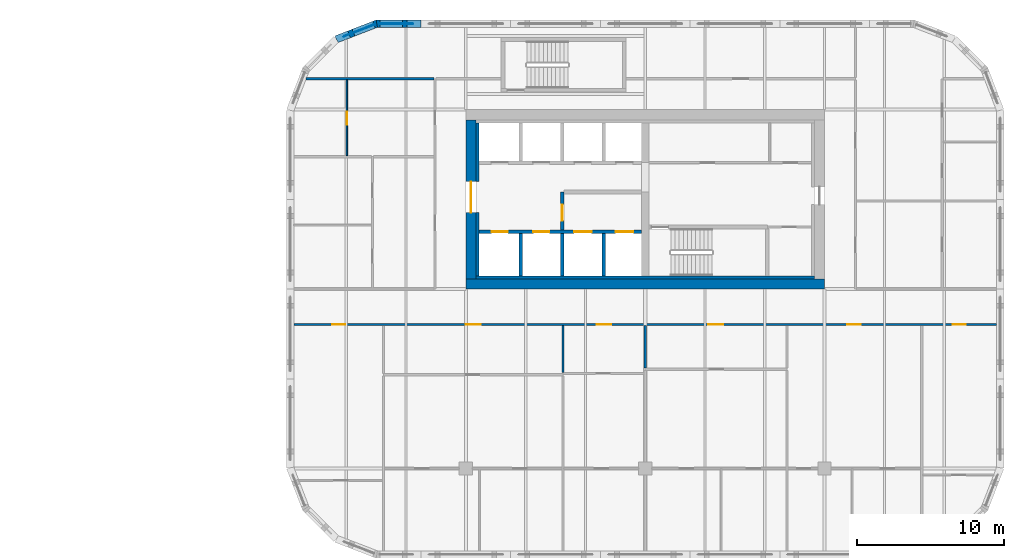
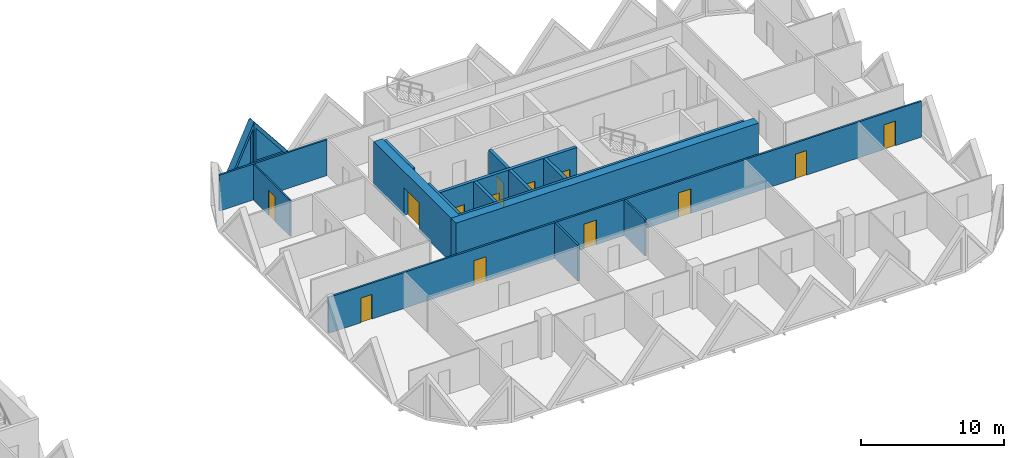
# One storey, part 13 of 19: 17 walls, 13 doors, 2 plates, 15 openings.
"""IFC4 building model written with IfcOpenShell, lengths in metres."""

from ifc_helpers import new_model, si_unit, direction, frame, frame_2d, origin, place, context, subcontext, project, spatial, polyline, rectangle, outline, extrude, faceted_brep, source, transform, mapped, material, layer, layer_set, type_object, element, fill, save


model = new_model("IFC4")

# Units and contexts
model_context = context("Model", 3, precision=1e-05, world=origin(), true_north=direction((0.0, 1.0)))
body_context = subcontext(model_context, "Body", "Model", "MODEL_VIEW")
ifc_project = project(units=[si_unit("LENGTHUNIT", "METRE"), si_unit("AREAUNIT", "SQUARE_METRE"), si_unit("VOLUMEUNIT", "CUBIC_METRE"), si_unit("PLANEANGLEUNIT", "RADIAN"), si_unit("MASSUNIT", "GRAM", prefix="KILO")], contexts=[model_context])

# Site, building, storey
site_placement = place(None, origin())
site = spatial("IfcSite", under=ifc_project, at=site_placement, CompositionType="ELEMENT")
building_placement = place(site_placement, origin())
building = spatial("IfcBuilding", under=site, at=building_placement, Name="Tessera Gate Towers", CompositionType="ELEMENT")
storey_placement = place(building_placement, frame((0.0, 0.0, 25.800048828125)))
storey = spatial("IfcBuildingStorey", under=building, at=storey_placement, Name="L05", CompositionType="ELEMENT", Elevation=25.800048828125)

# Wall, openings, doors
ifc_material_1 = material(Name="Concrete C40/50", Category="concrete")
ifc_layer_1 = layer(ifc_material_1, 0.25)
ifc_layer_set_1 = layer_set([ifc_layer_1], Name="CORE ENCLOSURE WALL 250")
wall_type_1 = type_object("IfcWallType", Name="CORE ENCLOSURE WALL 250", PredefinedType="SOLIDWALL", material=ifc_layer_set_1)
wall_1_placement = place(storey_placement, frame((98.5, 40.5, 0.0), z_axis=(0.0, 0.0, 1.0), x_axis=(1.0, 0.0, 0.0)))
wall_1 = element("IfcWall", 1, at=wall_1_placement, inside=storey, type_object=wall_type_1, Name="L05 shaft and stair enclosure wall", PredefinedType="SOLIDWALL", context=body_context, shape_type="SweptSolid", body=[
    extrude(rectangle(XDim=11.050048828125, YDim=0.25, at=frame_2d((5.52490234375, 0.0))), origin(), (0.0, 0.0, 1.0), 3.800048828125),
])
shared_shape_1 = source(origin(), body_context, "Body", "SweptSolid", [
    extrude(rectangle(XDim=1.10009765625, YDim=2.10009765625, at=frame_2d((0.550048828125, 1.050048828125))), frame((0.0, 0.135009765625, 0.0), z_axis=(0.0, -1.0, 0.0), x_axis=(1.0, 0.0, 0.0)), (0.0, 0.0, 1.0), 0.27001953125),
])
opening_1_placement = place(wall_1_placement, frame((0.862548828125, 0.0, 0.0)))
opening_1 = element("IfcOpeningElement", 2, at=opening_1_placement, cuts=wall_1, Name="Opening LD-TL1", PredefinedType="OPENING", context=body_context, shape_type="MappedRepresentation", body=[
    mapped(shared_shape_1, transform((0.0, 0.0, 0.0), scale=1.0)),
])
opening_2_placement = place(wall_1_placement, frame((3.6875, 0.0, 0.0)))
opening_2 = element("IfcOpeningElement", 3, at=opening_2_placement, cuts=wall_1, Name="Opening LD-TL2", PredefinedType="OPENING", context=body_context, shape_type="MappedRepresentation", body=[
    mapped(shared_shape_1, transform((0.0, 0.0, 0.0), scale=1.0)),
])
shared_shape_2 = source(origin(), body_context, "Body", "SweptSolid", [
    extrude(rectangle(XDim=1.199951171875, YDim=2.10009765625, at=frame_2d((0.60009765625, 1.050048828125))), frame((0.0, 0.135009765625, 0.0), z_axis=(0.0, -1.0, 0.0), x_axis=(1.0, 0.0, 0.0)), (0.0, 0.0, 1.0), 0.27001953125),
])
opening_3_placement = place(wall_1_placement, frame((6.46240234375, 0.0, 0.0)))
opening_3 = element("IfcOpeningElement", 4, at=opening_3_placement, cuts=wall_1, Name="Opening LD-FF3", PredefinedType="OPENING", context=body_context, shape_type="MappedRepresentation", body=[
    mapped(shared_shape_2, transform((0.0, 0.0, 0.0), scale=1.0)),
])
opening_4_placement = place(wall_1_placement, frame((9.28759765625, 0.0, 0.0)))
opening_4 = element("IfcOpeningElement", 5, at=opening_4_placement, cuts=wall_1, Name="Opening LD-FF4", PredefinedType="OPENING", context=body_context, shape_type="MappedRepresentation", body=[
    mapped(shared_shape_2, transform((0.0, 0.0, 0.0), scale=1.0)),
])
ifc_material_2 = material(Name="Stainless steel", Category="steel")
door_type_1 = type_object("IfcDoorType", Name="CORE DOOR LD1200 1200x2100", OperationType="DOUBLE_DOOR_SLIDING", PredefinedType="DOOR", material=ifc_material_2)
shared_shape_3 = source(origin(), body_context, "Body", "SweptSolid", [
    extrude(rectangle(XDim=1.199951171875, YDim=2.10009765625, at=frame_2d((0.60009765625, 1.050048828125))), frame((0.0, 0.02490234375, 0.0), z_axis=(0.0, -1.0, 0.0), x_axis=(1.0, 0.0, 0.0)), (0.0, 0.0, 1.0), 0.050048828125),
])
door_1_placement = place(opening_3_placement, origin())
door_1 = element("IfcDoor", 6, at=door_1_placement, inside=storey, type_object=door_type_1, Name="Landing door FF3 L05", OperationType="DOUBLE_DOOR_SLIDING", OverallHeight=2.10009765625, OverallWidth=1.199951171875, PredefinedType="DOOR", context=body_context, shape_type="MappedRepresentation", body=[
    mapped(shared_shape_3, transform((0.0, 0.0, 0.0), scale=1.0)),
])
fill(opening_3, door_1)
door_2_placement = place(opening_4_placement, origin())
door_2 = element("IfcDoor", 7, at=door_2_placement, inside=storey, type_object=door_type_1, Name="Landing door FF4 L05", OperationType="DOUBLE_DOOR_SLIDING", OverallHeight=2.10009765625, OverallWidth=1.199951171875, PredefinedType="DOOR", context=body_context, shape_type="MappedRepresentation", body=[
    mapped(shared_shape_3, transform((0.0, 0.0, 0.0), scale=1.0)),
])
fill(opening_4, door_2)
ifc_material_3 = material(Name="Stainless steel", Category="steel")
door_type_2 = type_object("IfcDoorType", Name="CORE DOOR LD 1100x2100", OperationType="DOUBLE_DOOR_SLIDING", PredefinedType="DOOR", material=ifc_material_3)
shared_shape_4 = source(origin(), body_context, "Body", "SweptSolid", [
    extrude(rectangle(XDim=1.10009765625, YDim=2.10009765625, at=frame_2d((0.550048828125, 1.050048828125))), frame((0.0, 0.02490234375, 0.0), z_axis=(0.0, -1.0, 0.0), x_axis=(1.0, 0.0, 0.0)), (0.0, 0.0, 1.0), 0.050048828125),
])
door_3_placement = place(opening_1_placement, origin())
door_3 = element("IfcDoor", 8, at=door_3_placement, inside=storey, type_object=door_type_2, Name="Landing door TL1 L05", OperationType="DOUBLE_DOOR_SLIDING", OverallHeight=2.10009765625, OverallWidth=1.10009765625, PredefinedType="DOOR", context=body_context, shape_type="MappedRepresentation", body=[
    mapped(shared_shape_4, transform((0.0, 0.0, 0.0), scale=1.0)),
])
fill(opening_1, door_3)
door_4_placement = place(opening_2_placement, origin())
door_4 = element("IfcDoor", 9, at=door_4_placement, inside=storey, type_object=door_type_2, Name="Landing door TL2 L05", OperationType="DOUBLE_DOOR_SLIDING", OverallHeight=2.10009765625, OverallWidth=1.10009765625, PredefinedType="DOOR", context=body_context, shape_type="MappedRepresentation", body=[
    mapped(shared_shape_4, transform((0.0, 0.0, 0.0), scale=1.0)),
])
fill(opening_2, door_4)

# Wall
wall_2_placement = place(storey_placement, frame((104.14990234375, 37.5, 0.0), z_axis=(0.0, 0.0, 1.0), x_axis=(0.0, 1.0, 0.0)))
element("IfcWall", 10, at=wall_2_placement, inside=storey, type_object=wall_type_1, Name="L05 shaft and stair enclosure wall", PredefinedType="SOLIDWALL", context=body_context, shape_type="SweptSolid", body=[
    extrude(rectangle(XDim=2.875, YDim=0.25, at=frame_2d((1.4375, 0.0))), origin(), (0.0, 0.0, 1.0), 3.800048828125),
])

# Wall, opening, door
wall_3_placement = place(storey_placement, frame((104.14990234375, 43.199951171875, 0.0), z_axis=(0.0, 0.0, 1.0), x_axis=(0.0, -1.0, 0.0)))
wall_3 = element("IfcWall", 11, at=wall_3_placement, inside=storey, type_object=wall_type_1, Name="L05 shaft and stair enclosure wall", PredefinedType="SOLIDWALL", context=body_context, shape_type="SweptSolid", body=[
    extrude(rectangle(XDim=2.574951171875, YDim=0.25, at=frame_2d((1.28759765625, 0.0))), origin(), (0.0, 0.0, 1.0), 3.800048828125),
])
opening_5_placement = place(wall_3_placement, frame((0.85009765625, 0.0, 0.0)))
opening_5 = element("IfcOpeningElement", 12, at=opening_5_placement, cuts=wall_3, Name="Opening FD-T2-06-03", PredefinedType="OPENING", context=body_context, shape_type="MappedRepresentation", body=[
    mapped(shared_shape_1, transform((0.0, 0.0, 0.0), scale=1.0)),
])
ifc_material_4 = material(Name="Hollow steel fire door", Category="steel")
door_type_3 = type_object("IfcDoorType", Name="CORE DOOR FD 1100x2100", OperationType="NOTDEFINED", PredefinedType="DOOR", material=ifc_material_4)
door_5_placement = place(opening_5_placement, origin())
door_5 = element("IfcDoor", 13, at=door_5_placement, inside=storey, type_object=door_type_3, Name="Fire-fighting lobby door", OperationType="SINGLE_SWING_RIGHT", OverallHeight=2.10009765625, OverallWidth=1.10009765625, PredefinedType="DOOR", context=body_context, shape_type="MappedRepresentation", body=[
    mapped(shared_shape_4, transform((0.0, 0.0, 0.0), scale=1.0)),
])
fill(opening_5, door_5)

# Walls
for number, where, z_axis, x_axis, name in (
    (14, (101.324951171875, 37.5, 0.0), (0.0, 0.0, 1.0), (0.0, 1.0, 0.0), "L05 shaft and stair enclosure wall"),
    (15, (106.97509765625, 37.5, 0.0), (0.0, 0.0, 1.0), (0.0, 1.0, 0.0), "L05 shaft and stair enclosure wall"),
):
    element("IfcWall", number, at=place(storey_placement, frame(where, z_axis=z_axis, x_axis=x_axis)), inside=storey, type_object=wall_type_1, Name=name, PredefinedType="SOLIDWALL", context=body_context, shape_type="SweptSolid", body=[
        extrude(rectangle(XDim=2.875, YDim=0.25, at=frame_2d((1.4375, 0.0))), origin(), (0.0, 0.0, 1.0), 3.800048828125),
    ])
ifc_material_5 = material(Name="Concrete C60/75", Category="concrete")
ifc_layer_2 = layer(ifc_material_5, 0.699951171875)
ifc_layer_set_2 = layer_set([ifc_layer_2], Name="CORE SHEAR WALL 700 C60/75")
wall_type_2 = type_object("IfcWallType", Name="CORE SHEAR WALL 700 C60/75", PredefinedType="SHEAR", material=ifc_layer_set_2)
wall_4_placement = place(storey_placement, frame((122.0, 36.949951171875, 0.0), z_axis=(0.0, 0.0, 1.0), x_axis=(-1.0, 0.0, 0.0)))
element("IfcWall", 16, at=wall_4_placement, inside=storey, type_object=wall_type_2, Name="Core wall S L05", PredefinedType="SHEAR", context=body_context, shape_type="SweptSolid", body=[
    extrude(rectangle(XDim=24.39990234375, YDim=0.699951171875, at=frame_2d((12.199951171875, 0.0))), origin(), (0.0, 0.0, 1.0), 3.800048828125),
])

# Wall, opening, door
wall_5_placement = place(storey_placement, frame((97.949951171875, 37.300048828125, 0.0), z_axis=(0.0, 0.0, 1.0), x_axis=(0.0, 1.0, 0.0)))
wall_5 = element("IfcWall", 17, at=wall_5_placement, inside=storey, type_object=wall_type_2, Name="Core wall W L05", PredefinedType="SHEAR", context=body_context, shape_type="SweptSolid", body=[
    extrude(rectangle(XDim=10.800048828125, YDim=0.699951171875, at=frame_2d((5.39990234375, 0.0))), origin(), (0.0, 0.0, 1.0), 3.800048828125),
])
shared_shape_5 = source(origin(), body_context, "Body", "SweptSolid", [
    extrude(rectangle(XDim=2.10009765625, YDim=2.39990234375, at=frame_2d((1.050048828125, 1.199951171875))), frame((0.0, 0.35986328125, 0.0), z_axis=(0.0, -1.0, 0.0), x_axis=(1.0, 0.0, 0.0)), (0.0, 0.0, 1.0), 0.719970703125),
])
opening_6_placement = place(wall_5_placement, frame((4.5, 0.0, 0.0)))
opening_6 = element("IfcOpeningElement", 18, at=opening_6_placement, cuts=wall_5, Name="Opening DD-T2-06-01", PredefinedType="OPENING", context=body_context, shape_type="MappedRepresentation", body=[
    mapped(shared_shape_5, transform((0.0, 0.0, 0.0), scale=1.0)),
])
ifc_material_6 = material(Name="Hollow steel fire door", Category="steel")
door_type_4 = type_object("IfcDoorType", Name="CORE DOOR DD 2100x2400", OperationType="NOTDEFINED", PredefinedType="DOOR", material=ifc_material_6)
shared_shape_6 = source(origin(), body_context, "Body", "SweptSolid", [
    extrude(rectangle(XDim=2.10009765625, YDim=2.39990234375, at=frame_2d((1.050048828125, 1.199951171875))), frame((0.0, 0.02490234375, 0.0), z_axis=(0.0, -1.0, 0.0), x_axis=(1.0, 0.0, 0.0)), (0.0, 0.0, 1.0), 0.050048828125),
])
door_6_placement = place(opening_6_placement, origin())
door_6 = element("IfcDoor", 19, at=door_6_placement, inside=storey, type_object=door_type_4, Name="Core entrance door", OperationType="DOUBLE_DOOR_SINGLE_SWING", OverallHeight=2.39990234375, OverallWidth=2.10009765625, PredefinedType="DOOR", context=body_context, shape_type="MappedRepresentation", body=[
    mapped(shared_shape_6, transform((0.0, 0.0, 0.0), scale=1.0)),
])
fill(opening_6, door_6)

# Walls
ifc_material_7 = material(Name="Concrete C60/75", Category="concrete")
ifc_layer_3 = layer(ifc_material_7, 0.199951171875)
ifc_layer_set_3 = layer_set([ifc_layer_3], Name="CORE WALL THICKENING 200")
wall_type_3 = type_object("IfcWallType", Name="CORE WALL THICKENING 200", PredefinedType="SOLIDWALL", material=ifc_layer_set_3)
wall_6_placement = place(storey_placement, frame((98.300048828125, 37.39990234375, 0.0), z_axis=(0.0, 0.0, 1.0), x_axis=(1.0, 0.0, 0.0)))
element("IfcWall", 20, at=wall_6_placement, inside=storey, type_object=wall_type_3, Name="Core wall thickening S L05", PredefinedType="SOLIDWALL", context=body_context, shape_type="SweptSolid", body=[
    extrude(rectangle(XDim=23.0, YDim=0.199951171875, at=frame_2d((11.5, 0.0))), origin(), (0.0, 0.0, 1.0), 3.800048828125),
])
wall_7_placement = place(storey_placement, frame((98.39990234375, 37.5, 0.0), z_axis=(0.0, 0.0, 1.0), x_axis=(0.0, 1.0, 0.0)))
element("IfcWall", 21, at=wall_7_placement, inside=storey, type_object=wall_type_3, Name="Core wall thickening W L05", PredefinedType="SOLIDWALL", context=body_context, shape_type="SweptSolid", body=[
    extrude(rectangle(XDim=4.300048828125, YDim=0.199951171875, at=frame_2d((2.14990234375, 0.0))), origin(), (0.0, 0.0, 1.0), 3.800048828125),
])
wall_8_placement = place(storey_placement, frame((98.39990234375, 43.89990234375, 0.0), z_axis=(0.0, 0.0, 1.0), x_axis=(0.0, 1.0, 0.0)))
element("IfcWall", 22, at=wall_8_placement, inside=storey, type_object=wall_type_3, Name="Core wall thickening W L05", PredefinedType="SOLIDWALL", context=body_context, shape_type="SweptSolid", body=[
    extrude(rectangle(XDim=4.0, YDim=0.199951171875, at=frame_2d((2.0, 0.0))), origin(), (0.0, 0.0, 1.0), 3.800048828125),
])

# Wall, openings, doors
ifc_material_8 = material(Name="Gypsum board on steel studs, mineral wool", Category="steel")
ifc_layer_4 = layer(ifc_material_8, 0.14990234375)
ifc_layer_set_4 = layer_set([ifc_layer_4], Name="CORRIDOR WALL 150")
wall_type_4 = type_object("IfcWallType", Name="CORRIDOR WALL 150", PredefinedType="PARTITIONING", material=ifc_layer_set_4)
wall_9_placement = place(storey_placement, frame((133.699951171875, 34.199951171875, 0.0), z_axis=(0.0, 0.0, 1.0), x_axis=(-1.0, 0.0, 0.0)))
wall_9 = element("IfcWall", 23, at=wall_9_placement, inside=storey, type_object=wall_type_4, Name="T2-L05-PW-027", PredefinedType="PARTITIONING", context=body_context, shape_type="SweptSolid", body=[
    extrude(rectangle(XDim=47.800048828125, YDim=0.14990234375, at=frame_2d((23.89990234375, 0.0))), origin(), (0.0, 0.0, 1.0), 3.06689453125),
])
shared_shape_7 = source(origin(), body_context, "Body", "SweptSolid", [
    extrude(rectangle(XDim=0.89990234375, YDim=2.10009765625, at=frame_2d((0.449951171875, 1.050048828125))), frame((0.0, 0.0849609375, 0.0), z_axis=(0.0, -1.0, 0.0), x_axis=(1.0, 0.0, 0.0)), (0.0, 0.0, 1.0), 0.169921875),
])
opening_7_placement = place(wall_9_placement, frame((2.09912109375, 0.0, 0.0)))
opening_7 = element("IfcOpeningElement", 24, at=opening_7_placement, cuts=wall_9, Name="Opening D890FD60-B03-01", PredefinedType="OPENING", context=body_context, shape_type="MappedRepresentation", body=[
    mapped(shared_shape_7, transform((0.0, 0.0, 0.0), scale=1.0)),
])
shared_shape_8 = source(origin(), body_context, "Body", "SweptSolid", [
    extrude(rectangle(XDim=1.0, YDim=2.10009765625, at=frame_2d((0.5, 1.050048828125))), frame((0.0, 0.0849609375, 0.0), z_axis=(0.0, -1.0, 0.0), x_axis=(1.0, 0.0, 0.0)), (0.0, 0.0, 1.0), 0.169921875),
])
opening_8_placement = place(wall_9_placement, frame((26.198974609375, 0.0, 0.0)))
opening_8 = element("IfcOpeningElement", 25, at=opening_8_placement, cuts=wall_9, Name="Opening D2100FD60-B03-01", PredefinedType="OPENING", context=body_context, shape_type="MappedRepresentation", body=[
    mapped(shared_shape_8, transform((0.0, 0.0, 0.0), scale=1.0)),
])
opening_9_placement = place(wall_9_placement, frame((44.300048828125, 0.0, 0.0)))
opening_9 = element("IfcOpeningElement", 26, at=opening_9_placement, cuts=wall_9, Name="Opening D890FD60-B03-03", PredefinedType="OPENING", context=body_context, shape_type="MappedRepresentation", body=[
    mapped(shared_shape_7, transform((0.0, 0.0, 0.0), scale=1.0)),
])
opening_10_placement = place(wall_9_placement, frame((9.2490234375, 0.0, 0.0)))
opening_10 = element("IfcOpeningElement", 27, at=opening_10_placement, cuts=wall_9, Name="Opening D890FD60-B03-04", PredefinedType="OPENING", context=body_context, shape_type="MappedRepresentation", body=[
    mapped(shared_shape_7, transform((0.0, 0.0, 0.0), scale=1.0)),
])
opening_11_placement = place(wall_9_placement, frame((18.60009765625, 0.0, 0.0)))
opening_11 = element("IfcOpeningElement", 28, at=opening_11_placement, cuts=wall_9, Name="Opening D2100FD60-B03-03", PredefinedType="OPENING", context=body_context, shape_type="MappedRepresentation", body=[
    mapped(shared_shape_8, transform((0.0, 0.0, 0.0), scale=1.0)),
])
opening_12_placement = place(wall_9_placement, frame((35.10009765625, 0.0, 0.0)))
opening_12 = element("IfcOpeningElement", 29, at=opening_12_placement, cuts=wall_9, Name="Opening D2100FD60-B03-05", PredefinedType="OPENING", context=body_context, shape_type="MappedRepresentation", body=[
    mapped(shared_shape_8, transform((0.0, 0.0, 0.0), scale=1.0)),
])
ifc_material_9 = material(Name="Timber door leaf in steel frame", Category="steel")
door_type_5 = type_object("IfcDoorType", Name="CORRIDOR DOOR 900 FD60", OperationType="NOTDEFINED", PredefinedType="DOOR", material=ifc_material_9)
shared_shape_9 = source(origin(), body_context, "Body", "SweptSolid", [
    extrude(rectangle(XDim=0.89990234375, YDim=2.10009765625, at=frame_2d((0.449951171875, 1.050048828125))), frame((0.0, 0.02490234375, 0.0), z_axis=(0.0, -1.0, 0.0), x_axis=(1.0, 0.0, 0.0)), (0.0, 0.0, 1.0), 0.050048828125),
])
door_7_placement = place(opening_7_placement, origin())
door_7 = element("IfcDoor", 30, at=door_7_placement, inside=storey, type_object=door_type_5, Name="T2-L05-PD-010", OperationType="SINGLE_SWING_RIGHT", OverallHeight=2.10009765625, OverallWidth=0.89990234375, PredefinedType="DOOR", context=body_context, shape_type="MappedRepresentation", body=[
    mapped(shared_shape_9, transform((0.0, 0.0, 0.0), scale=1.0)),
])
fill(opening_7, door_7)
door_8_placement = place(opening_9_placement, origin())
door_8 = element("IfcDoor", 31, at=door_8_placement, inside=storey, type_object=door_type_5, Name="T2-L05-PD-019", OperationType="SINGLE_SWING_RIGHT", OverallHeight=2.10009765625, OverallWidth=0.89990234375, PredefinedType="DOOR", context=body_context, shape_type="MappedRepresentation", body=[
    mapped(shared_shape_9, transform((0.0, 0.0, 0.0), scale=1.0)),
])
fill(opening_9, door_8)
door_9_placement = place(opening_10_placement, origin())
door_9 = element("IfcDoor", 32, at=door_9_placement, inside=storey, type_object=door_type_5, Name="T2-L05-PD-022", OperationType="SINGLE_SWING_RIGHT", OverallHeight=2.10009765625, OverallWidth=0.89990234375, PredefinedType="DOOR", context=body_context, shape_type="MappedRepresentation", body=[
    mapped(shared_shape_9, transform((0.0, 0.0, 0.0), scale=1.0)),
])
fill(opening_10, door_9)
ifc_material_10 = material(Name="Timber door leaf in steel frame", Category="steel")
door_type_6 = type_object("IfcDoorType", Name="TENANCY ENTRANCE DOOR 1000 FD60", OperationType="NOTDEFINED", PredefinedType="DOOR", material=ifc_material_10)
shared_shape_10 = source(origin(), body_context, "Body", "SweptSolid", [
    extrude(rectangle(XDim=1.0, YDim=2.10009765625, at=frame_2d((0.5, 1.050048828125))), frame((0.0, 0.02490234375, 0.0), z_axis=(0.0, -1.0, 0.0), x_axis=(1.0, 0.0, 0.0)), (0.0, 0.0, 1.0), 0.050048828125),
])
door_10_placement = place(opening_8_placement, origin())
door_10 = element("IfcDoor", 33, at=door_10_placement, inside=storey, type_object=door_type_6, Name="T2-L05-PD-016", OperationType="SINGLE_SWING_RIGHT", OverallHeight=2.10009765625, OverallWidth=1.0, PredefinedType="DOOR", context=body_context, shape_type="MappedRepresentation", body=[
    mapped(shared_shape_10, transform((0.0, 0.0, 0.0), scale=1.0)),
])
fill(opening_8, door_10)
door_11_placement = place(opening_11_placement, origin())
door_11 = element("IfcDoor", 34, at=door_11_placement, inside=storey, type_object=door_type_6, Name="T2-L05-PD-023", OperationType="SINGLE_SWING_RIGHT", OverallHeight=2.10009765625, OverallWidth=1.0, PredefinedType="DOOR", context=body_context, shape_type="MappedRepresentation", body=[
    mapped(shared_shape_10, transform((0.0, 0.0, 0.0), scale=1.0)),
])
fill(opening_11, door_11)
door_12_placement = place(opening_12_placement, origin())
door_12 = element("IfcDoor", 35, at=door_12_placement, inside=storey, type_object=door_type_6, Name="T2-L05-PD-026", OperationType="SINGLE_SWING_RIGHT", OverallHeight=2.10009765625, OverallWidth=1.0, PredefinedType="DOOR", context=body_context, shape_type="MappedRepresentation", body=[
    mapped(shared_shape_10, transform((0.0, 0.0, 0.0), scale=1.0)),
])
fill(opening_12, door_12)

# Wall, opening, door
ifc_material_11 = material(Name="Gypsum board on steel studs", Category="steel")
ifc_layer_5 = layer(ifc_material_11, 0.10009765625)
ifc_layer_set_5 = layer_set([ifc_layer_5], Name="PARTITION 100")
wall_type_5 = type_object("IfcWallType", Name="PARTITION 100", PredefinedType="PARTITIONING", material=ifc_layer_set_5)
wall_10_placement = place(storey_placement, frame((89.514892578125, 45.676025390625, 0.0), z_axis=(0.0, 0.0, 1.0), x_axis=(0.0, 1.0, 0.0)))
wall_10 = element("IfcWall", 36, at=wall_10_placement, inside=storey, type_object=wall_type_5, Name="T2-L05-PW-039", PredefinedType="PARTITIONING", context=body_context, shape_type="SweptSolid", body=[
    extrude(rectangle(XDim=5.14794921875, YDim=0.10009765625, at=frame_2d((2.573974609375, 0.0))), origin(), (0.0, 0.0, 1.0), 3.06689453125),
])
shared_shape_11 = source(origin(), body_context, "Body", "SweptSolid", [
    extrude(rectangle(XDim=0.89990234375, YDim=2.10009765625, at=frame_2d((0.449951171875, 1.050048828125))), frame((0.0, 0.06005859375, 0.0), z_axis=(0.0, -1.0, 0.0), x_axis=(1.0, 0.0, 0.0)), (0.0, 0.0, 1.0), 0.1201171875),
])
opening_13_placement = place(wall_10_placement, frame((2.10009765625, 0.0, 0.0)))
opening_13 = element("IfcOpeningElement", 37, at=opening_13_placement, cuts=wall_10, Name="Opening D190-B03-09", PredefinedType="OPENING", context=body_context, shape_type="MappedRepresentation", body=[
    mapped(shared_shape_11, transform((0.0, 0.0, 0.0), scale=1.0)),
])
ifc_material_12 = material(Name="Timber door leaf in steel frame", Category="steel")
door_type_7 = type_object("IfcDoorType", Name="INTERNAL DOOR 900 NOT RATED", OperationType="NOTDEFINED", PredefinedType="DOOR", material=ifc_material_12)
door_13_placement = place(opening_13_placement, origin())
door_13 = element("IfcDoor", 38, at=door_13_placement, inside=storey, type_object=door_type_7, Name="T2-L05-PD-011", OperationType="SINGLE_SWING_LEFT", OverallHeight=2.10009765625, OverallWidth=0.89990234375, PredefinedType="DOOR", context=body_context, shape_type="MappedRepresentation", body=[
    mapped(shared_shape_9, transform((0.0, 0.0, 0.0), scale=1.0)),
])
fill(opening_13, door_13)

# Walls
ifc_material_13 = material(Name="Gypsum board on steel studs, mineral wool", Category="steel")
ifc_layer_6 = layer(ifc_material_13, 0.14990234375)
ifc_layer_set_6 = layer_set([ifc_layer_6], Name="TENANCY WALL 150")
wall_type_6 = type_object("IfcWallType", Name="TENANCY WALL 150", PredefinedType="PARTITIONING", material=ifc_layer_set_6)
wall_11_placement = place(storey_placement, frame((104.199951171875, 30.925048828125, 0.0), z_axis=(0.0, 0.0, 1.0), x_axis=(0.0, 1.0, 0.0)))
element("IfcWall", 39, at=wall_11_placement, inside=storey, type_object=wall_type_6, Name="T2-L05-PW-023", PredefinedType="PARTITIONING", context=body_context, shape_type="SweptSolid", body=[
    extrude(rectangle(XDim=3.198974609375, YDim=0.14990234375, at=frame_2d((1.599609375, 0.0))), origin(), (0.0, 0.0, 1.0), 3.06689453125),
])
wall_12_placement = place(storey_placement, frame((109.800048828125, 31.22607421875, 0.0), z_axis=(0.0, 0.0, 1.0), x_axis=(0.0, 1.0, 0.0)))
element("IfcWall", 40, at=wall_12_placement, inside=storey, type_object=wall_type_6, Name="T2-L05-PW-025", PredefinedType="PARTITIONING", context=body_context, shape_type="SweptSolid", body=[
    extrude(rectangle(XDim=2.89794921875, YDim=0.14990234375, at=frame_2d((1.448974609375, 0.0))), origin(), (0.0, 0.0, 1.0), 3.06689453125),
])
wall_13_placement = place(storey_placement, frame((86.74609375, 50.89990234375, 0.0), z_axis=(0.0, 0.0, 1.0), x_axis=(1.0, 0.0, 0.0)))
element("IfcWall", 41, at=wall_13_placement, inside=storey, type_object=wall_type_6, Name="T2-L05-PW-041", PredefinedType="PARTITIONING", context=body_context, shape_type="SweptSolid", body=[
    extrude(rectangle(XDim=8.677978515625, YDim=0.14990234375, at=frame_2d((4.3388671875, 0.0))), origin(), (0.0, 0.0, 1.0), 3.06689453125),
])

# Wall, opening, plate
ifc_material_14 = material(Name="Precast concrete C60/75 white", Category="concrete")
ifc_layer_7 = layer(ifc_material_14, 0.5)
ifc_layer_set_7 = layer_set([ifc_layer_7], Name="TS3 corner tessera")
wall_type_7 = type_object("IfcWallType", Name="TS3 corner tessera", PredefinedType="SOLIDWALL", material=ifc_layer_set_7)
shared_shape_12 = source(origin(), body_context, "Body", "Brep", [
    faceted_brep([(3.050048828125, -0.25, 3.739990234375), (3.00341796875, -0.25, 3.800048828125), (0.0, -0.25, 0.0), (3.050048828125, -0.25, 0.0), (0.0, 0.25, 0.0), (2.956787109375, 0.25, 3.7412109375), (2.956787109375, 0.25, 0.0), (3.00341796875, 0.000244140625, 3.800048828125)], [[[0, 1, 2, 3]], [[4, 5, 6]], [[7, 1, 0]], [[5, 4, 2, 1, 7]], [[4, 6, 3, 2]], [[3, 6, 5, 7, 0]]]),
])
wall_14_placement = place(storey_placement, frame((94.550048828125, 54.64990234375, 0.0), z_axis=(0.0, 0.0, 1.0), x_axis=(-1.0, 0.0, 0.0)))
wall_14 = element("IfcWall", 42, at=wall_14_placement, inside=storey, type_object=wall_type_7, Name="Precast corner tessera T2 TS3-0059", PredefinedType="SOLIDWALL", context=body_context, shape_type="MappedRepresentation", body=[
    mapped(shared_shape_12, transform((0.0, 0.0, 0.0), scale=1.0)),
])
shared_shape_13 = source(origin(), body_context, "Body", "SweptSolid", [
    extrude(outline(polyline([(2.803466796875, 3.143798828125), (0.516357421875, 0.25), (2.803466796875, 0.25), (2.803466796875, 3.143798828125)])), frame((0.0, 0.260009765625, 0.0), z_axis=(0.0, -1.0, 0.0), x_axis=(1.0, 0.0, 0.0)), (0.0, 0.0, 1.0), 0.52001953125),
])
opening_14_placement = place(wall_14_placement, origin())
opening_14 = element("IfcOpeningElement", 43, at=opening_14_placement, cuts=wall_14, Name="Opening T2-PL1-0092", PredefinedType="OPENING", context=body_context, shape_type="MappedRepresentation", body=[
    mapped(shared_shape_13, transform((0.0, 0.0, 0.0), scale=1.0)),
])
ifc_material_15 = material(Name="Low-e laminated glass", Category="glass")
ifc_layer_8 = layer(ifc_material_15, 0.06005859375)
ifc_layer_set_8 = layer_set([ifc_layer_8], Name="PL1 triangular pane")
plate_type = type_object("IfcPlateType", Name="PL1 triangular pane", PredefinedType="SHEET", material=ifc_layer_set_8)
shared_shape_14 = source(origin(), body_context, "Body", "SweptSolid", [
    extrude(outline(polyline([(2.803466796875, 3.143798828125), (0.516357421875, 0.25), (2.803466796875, 0.25), (2.803466796875, 3.143798828125)])), frame((0.0, 0.030029296875, 0.0), z_axis=(0.0, -1.0, 0.0), x_axis=(1.0, 0.0, 0.0)), (0.0, 0.0, 1.0), 0.06005859375),
])
plate_1_placement = place(opening_14_placement, origin())
plate_1 = element("IfcPlate", 44, at=plate_1_placement, inside=storey, type_object=plate_type, Name="Glass pane T2 PL1-0092", PredefinedType="SHEET", context=body_context, shape_type="MappedRepresentation", body=[
    mapped(shared_shape_14, transform((0.0, 0.0, 0.0), scale=1.0)),
])
fill(opening_14, plate_1)

shared_shape_15 = source(origin(), body_context, "Body", "Brep", [
    faceted_brep([(2.9970703125, -0.25, 0.0), (0.046630859375, -0.25, 3.800048828125), (0.0, -0.25, 3.7412109375), (0.0, -0.25, 0.0), (0.09326171875, 0.25, 3.739990234375), (2.9443359375, 0.25, 0.068115234375), (2.9443359375, 0.25, 0.0), (0.09326171875, 0.25, 0.0), (0.046630859375, 0.0, 3.800048828125), (2.9970703125, 0.00048828125, 0.0)], [[[0, 1, 2, 3]], [[4, 5, 6, 7]], [[5, 4, 8, 1, 0, 9]], [[2, 1, 8]], [[7, 6, 9, 0, 3]], [[7, 3, 2, 8, 4]], [[9, 6, 5]]]),
])
wall_15_placement = place(storey_placement, frame((91.590087890625, 54.666748046875, 0.0), z_axis=(0.0, 0.0, 1.0), x_axis=(-0.933000876937, -0.359874094142, 0.0)))
wall_15 = element("IfcWall", 45, at=wall_15_placement, inside=storey, type_object=wall_type_7, Name="Precast corner tessera T2 TS3-0060", PredefinedType="SOLIDWALL", context=body_context, shape_type="MappedRepresentation", body=[
    mapped(shared_shape_15, transform((0.0, 0.0, 0.0), scale=1.0)),
])
shared_shape_16 = source(origin(), body_context, "Body", "SweptSolid", [
    extrude(outline(polyline([(2.486572265625, 0.25), (0.24658203125, 3.134765625), (0.24658203125, 0.25), (2.486572265625, 0.25)])), frame((0.0, 0.260009765625, 0.0), z_axis=(0.0, -1.0, 0.0), x_axis=(1.0, 0.0, 0.0)), (0.0, 0.0, 1.0), 0.52001953125),
])
opening_15_placement = place(wall_15_placement, origin())
opening_15 = element("IfcOpeningElement", 46, at=opening_15_placement, cuts=wall_15, Name="Opening T2-PL1-0093", PredefinedType="OPENING", context=body_context, shape_type="MappedRepresentation", body=[
    mapped(shared_shape_16, transform((0.0, 0.0, 0.0), scale=1.0)),
])
shared_shape_17 = source(origin(), body_context, "Body", "SweptSolid", [
    extrude(outline(polyline([(2.486572265625, 0.25), (0.24658203125, 3.134765625), (0.24658203125, 0.25), (2.486572265625, 0.25)])), frame((0.0, 0.030029296875, 0.0), z_axis=(0.0, -1.0, 0.0), x_axis=(1.0, 0.0, 0.0)), (0.0, 0.0, 1.0), 0.06005859375),
])
plate_2_placement = place(opening_15_placement, origin())
plate_2 = element("IfcPlate", 47, at=plate_2_placement, inside=storey, type_object=plate_type, Name="Glass pane T2 PL1-0093", PredefinedType="SHEET", context=body_context, shape_type="MappedRepresentation", body=[
    mapped(shared_shape_17, transform((0.0, 0.0, 0.0), scale=1.0)),
])
fill(opening_15, plate_2)

save(model, "model.ifc")
